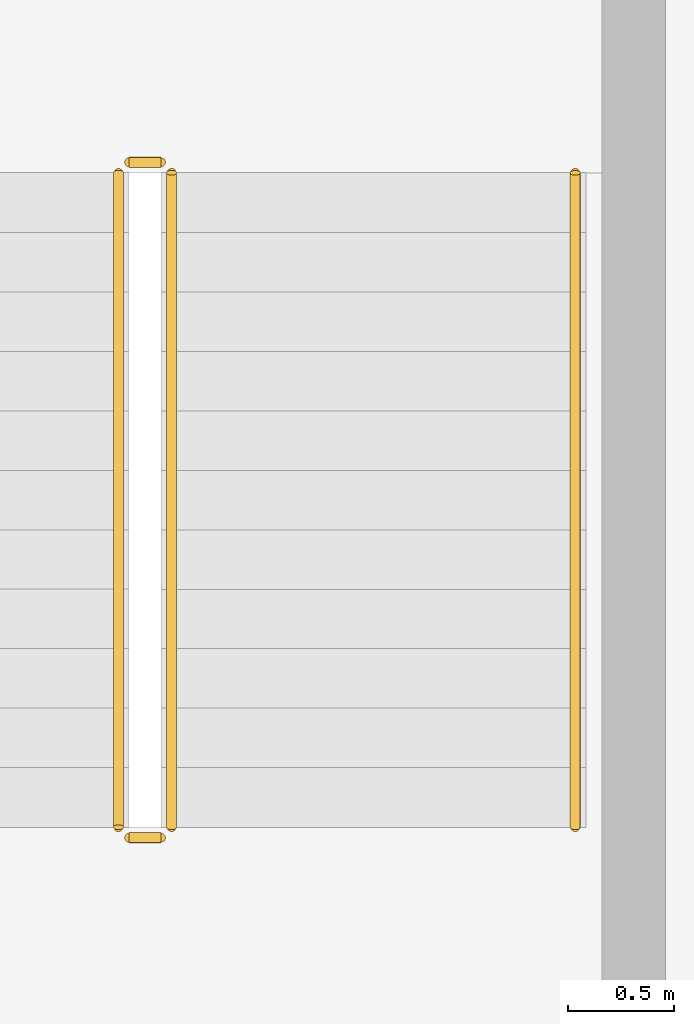
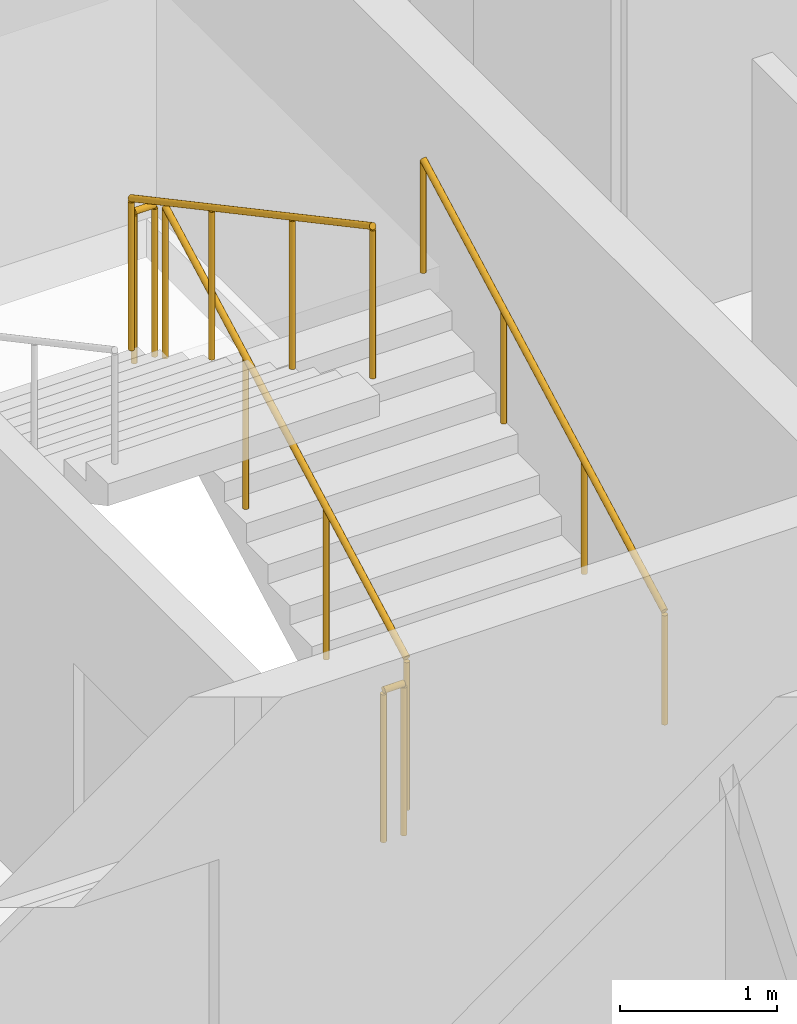
# One storey, part 15 of 15: 5 railings.
"""IFC4 building model written with IfcOpenShell, lengths in metres."""

from ifc_helpers import new_model, si_unit, direction, frame, origin, origin_2d, place, context, subcontext, project, spatial, circle, extrude, material, type_object, element, save


model = new_model("IFC4")

# Units and contexts
model_context = context("Model", 3, precision=1e-05, world=origin(), true_north=direction((0.0, 1.0)))
body_context = subcontext(model_context, "Body", "Model", "MODEL_VIEW")
ifc_project = project(units=[si_unit("LENGTHUNIT", "METRE"), si_unit("AREAUNIT", "SQUARE_METRE"), si_unit("VOLUMEUNIT", "CUBIC_METRE"), si_unit("PLANEANGLEUNIT", "RADIAN"), si_unit("MASSUNIT", "GRAM", prefix="KILO")], contexts=[model_context])

# Site, building, storey
site_placement = place(None, origin())
site = spatial("IfcSite", under=ifc_project, at=site_placement, CompositionType="ELEMENT")
building_placement = place(site_placement, origin())
building = spatial("IfcBuilding", under=site, at=building_placement, Name="Caravel Reach Hotel and Residences", CompositionType="ELEMENT")
storey_placement = place(building_placement, frame((0.0, 0.0, 44.39990234375)))
storey = spatial("IfcBuildingStorey", under=building, at=storey_placement, Name="L09", CompositionType="ELEMENT", Elevation=44.39990234375)

# Railings
ifc_material_1 = material(Name="Steel balustrade with glass infill", Category="steel")
railing_type_1 = type_object("IfcRailingType", Name="Guard 1200", PredefinedType="GUARDRAIL", material=ifc_material_1)
railing_1_placement = place(storey_placement, frame((42.824951171875, 24.64990234375, 0.150146484375)))
element("IfcRailing", 1, at=railing_1_placement, inside=storey, type_object=railing_type_1, Name="L09 ST-B stair guard 1", PredefinedType="GUARDRAIL", context=body_context, shape_type="SweptSolid", body=[
    extrude(circle(Radius=0.02392578125, at=origin_2d()), frame((0.0, 0.0, 1.17578125), z_axis=(0.0, 0.881496589024, 0.472190389079), x_axis=(-1.0, 0.0, 0.0)), (0.0, 0.0, 1.0), 3.494140625),
    extrude(circle(Radius=0.02099609375, at=origin_2d()), origin(), (0.0, 0.0, 1.0), 1.15185546875),
    extrude(circle(Radius=0.02099609375, at=origin_2d()), frame((0.0, 1.026611328125, 0.550048828125)), (0.0, 0.0, 1.0), 1.15185546875),
    extrude(circle(Radius=0.02099609375, at=origin_2d()), frame((0.0, 2.053466796875, 1.099853515625)), (0.0, 0.0, 1.0), 1.15185546875),
    extrude(circle(Radius=0.02099609375, at=origin_2d()), frame((0.0, 3.080078125, 1.64990234375)), (0.0, 0.0, 1.0), 1.15185546875),
])
railing_2_placement = place(storey_placement, frame((42.77490234375, 27.780029296875, 1.800048828125)))
element("IfcRailing", 2, at=railing_2_placement, inside=storey, type_object=railing_type_1, Name="L09 ST-B stair guard 2", PredefinedType="GUARDRAIL", context=body_context, shape_type="SweptSolid", body=[
    extrude(circle(Radius=0.02392578125, at=origin_2d()), frame((0.0, 0.0, 1.17578125), z_axis=(-1.0, 0.0, 0.0), x_axis=(0.0, -1.0, 0.0)), (0.0, 0.0, 1.0), 0.14990234375),
    extrude(circle(Radius=0.02099609375, at=origin_2d()), origin(), (0.0, 0.0, 1.0), 1.15185546875),
    extrude(circle(Radius=0.02099609375, at=origin_2d()), frame((-0.14990234375, 0.0, 0.0)), (0.0, 0.0, 1.0), 1.15185546875),
])
railing_3_placement = place(storey_placement, frame((42.574951171875, 27.72998046875, 1.9501953125)))
element("IfcRailing", 3, at=railing_3_placement, inside=storey, type_object=railing_type_1, Name="L09 ST-B stair guard 3", PredefinedType="GUARDRAIL", context=body_context, shape_type="SweptSolid", body=[
    extrude(circle(Radius=0.02392578125, at=origin_2d()), frame((0.0, 0.0, 1.17578125), z_axis=(0.0, -0.881496589024, 0.472190389079), x_axis=(1.0, 0.0, 0.0)), (0.0, 0.0, 1.0), 3.494140625),
    extrude(circle(Radius=0.02099609375, at=origin_2d()), origin(), (0.0, 0.0, 1.0), 1.15185546875),
    extrude(circle(Radius=0.02099609375, at=origin_2d()), frame((0.0, -1.026611328125, 0.550048828125)), (0.0, 0.0, 1.0), 1.15185546875),
    extrude(circle(Radius=0.02099609375, at=origin_2d()), frame((0.0, -2.053466796875, 1.099853515625)), (0.0, 0.0, 1.0), 1.15185546875),
    extrude(circle(Radius=0.02099609375, at=origin_2d()), frame((0.0, -3.080078125, 1.64990234375)), (0.0, 0.0, 1.0), 1.15185546875),
])
railing_4_placement = place(storey_placement, frame((42.77490234375, 24.60009765625, 0.0)))
element("IfcRailing", 4, at=railing_4_placement, inside=storey, type_object=railing_type_1, Name="L09 ST-B stair guard 4", PredefinedType="GUARDRAIL", context=body_context, shape_type="SweptSolid", body=[
    extrude(circle(Radius=0.02392578125, at=origin_2d()), frame((0.0, 0.0, 1.17578125), z_axis=(-1.0, 0.0, 0.0), x_axis=(0.0, -1.0, 0.0)), (0.0, 0.0, 1.0), 0.14990234375),
    extrude(circle(Radius=0.02099609375, at=origin_2d()), origin(), (0.0, 0.0, 1.0), 1.15185546875),
    extrude(circle(Radius=0.02099609375, at=origin_2d()), frame((-0.14990234375, 0.0, 0.0)), (0.0, 0.0, 1.0), 1.15185546875),
])
ifc_material_2 = material(Name="Stainless steel handrail", Category="steel")
railing_type_2 = type_object("IfcRailingType", Name="Handrail 900", PredefinedType="HANDRAIL", material=ifc_material_2)
railing_5_placement = place(storey_placement, frame((44.72509765625, 24.64990234375, 0.150146484375)))
element("IfcRailing", 5, at=railing_5_placement, inside=storey, type_object=railing_type_2, Name="L09 ST-B stair handrail 1", PredefinedType="HANDRAIL", context=body_context, shape_type="SweptSolid", body=[
    extrude(circle(Radius=0.02392578125, at=origin_2d()), frame((0.0, 0.0, 0.8759765625), z_axis=(0.0, 0.881496589024, 0.472190389079), x_axis=(-1.0, 0.0, 0.0)), (0.0, 0.0, 1.0), 3.494140625),
    extrude(circle(Radius=0.02099609375, at=origin_2d()), origin(), (0.0, 0.0, 1.0), 0.851806640625),
    extrude(circle(Radius=0.02099609375, at=origin_2d()), frame((0.0, 1.026611328125, 0.550048828125)), (0.0, 0.0, 1.0), 0.851806640625),
    extrude(circle(Radius=0.02099609375, at=origin_2d()), frame((0.0, 2.053466796875, 1.099853515625)), (0.0, 0.0, 1.0), 0.851806640625),
    extrude(circle(Radius=0.02099609375, at=origin_2d()), frame((0.0, 3.080078125, 1.64990234375)), (0.0, 0.0, 1.0), 0.851806640625),
])

save(model, "model.ifc")
